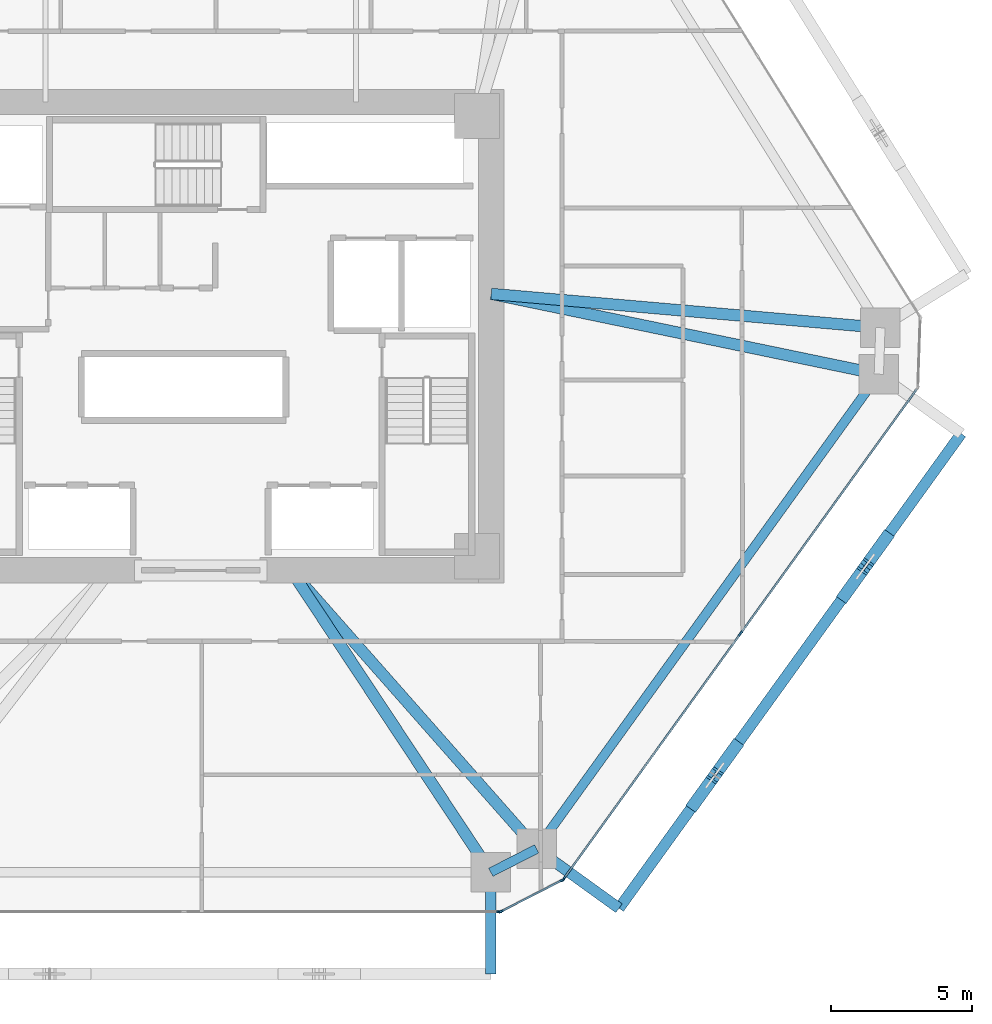
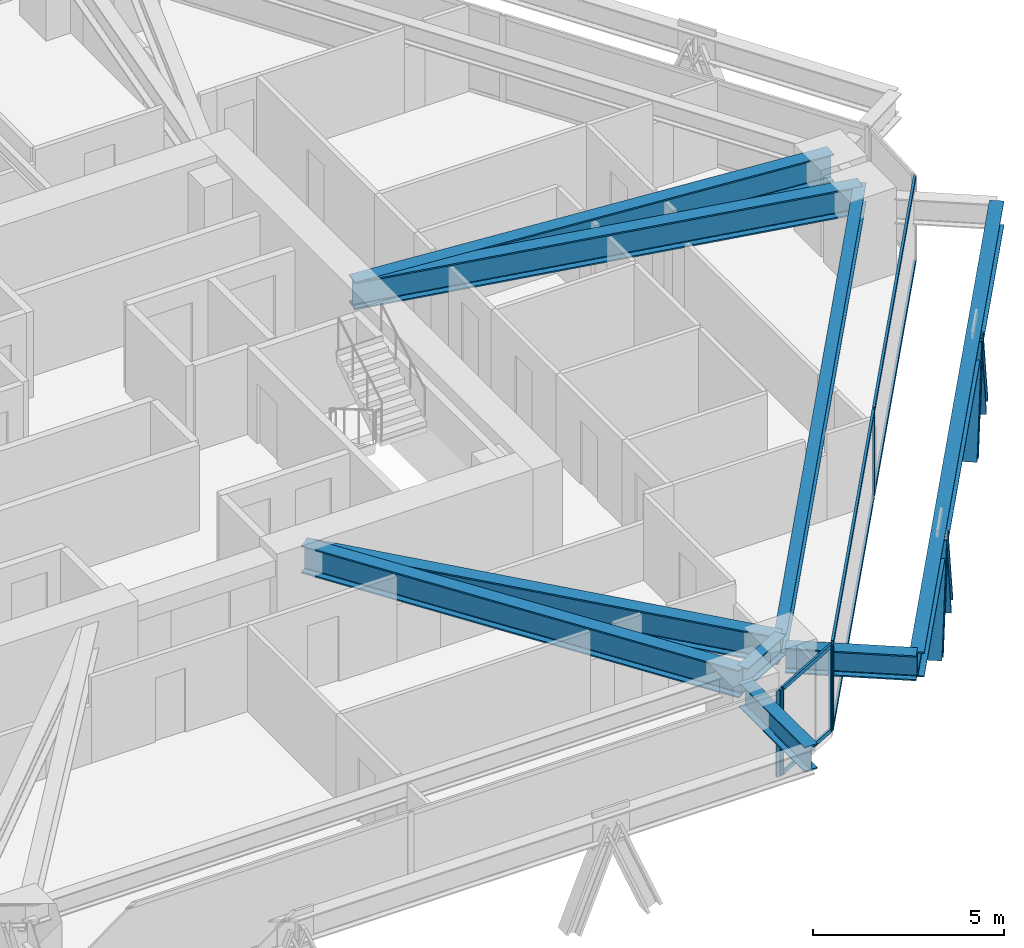
# One storey, part 5 of 18: 15 members, 9 beams, 3 elements without a shape of their own.
"""IFC4 building model written with IfcOpenShell, lengths in metres."""

from ifc_helpers import new_model, si_unit, direction, frame, origin, origin_2d, place, context, subcontext, project, spatial, rectangle, i_section, extrude, source, transform, mapped, material, layer, layer_set, material_profile, profile_set, type_object, type_shapes, element, aggregate, save


model = new_model("IFC4")

# Units and contexts
model_context = context("Model", 3, precision=1e-05, world=origin(), true_north=direction((0.0, 1.0)))
body_context = subcontext(model_context, "Body", "Model", "MODEL_VIEW")
ifc_project = project(units=[si_unit("LENGTHUNIT", "METRE"), si_unit("AREAUNIT", "SQUARE_METRE"), si_unit("VOLUMEUNIT", "CUBIC_METRE"), si_unit("PLANEANGLEUNIT", "RADIAN"), si_unit("MASSUNIT", "GRAM", prefix="KILO")], contexts=[model_context])

# Site, building, storey
site_placement = place(None, origin())
site = spatial("IfcSite", under=ifc_project, at=site_placement, CompositionType="ELEMENT")
building_placement = place(site_placement, origin())
building = spatial("IfcBuilding", under=site, at=building_placement, Name="Durnholm Broadcast Tower", CompositionType="ELEMENT")
storey_placement = place(building_placement, frame((0.0, 0.0, 78.300048828125)))
storey = spatial("IfcBuildingStorey", under=building, at=storey_placement, Name="L20", CompositionType="ELEMENT", Elevation=78.300048828125)

# Beams
ifc_material_1 = material(Name="Steel ASTM A992 Grade 50", Category="steel")
ifc_material_profile_1 = material_profile(ifc_material_1, i_section(OverallWidth=0.3291015625, OverallDepth=0.635009765625, WebThickness=0.017822265625, FlangeThickness=0.031005859375, FilletRadius=0.02783203125, at=origin_2d()), Name="W24X162")
ifc_profile_set_1 = profile_set([ifc_material_profile_1], Name="Steel ASTM A992 Grade 50")
beam_type_1 = type_object("IfcBeamType", Name="STL-SP-W24X162", PredefinedType="SPANDREL", material=ifc_profile_set_1)
shared_shape_1 = source(origin(), body_context, "Body", "SweptSolid", [
    extrude(i_section(OverallWidth=0.3291015625, OverallDepth=0.635009765625, WebThickness=0.017822265625, FlangeThickness=0.031005859375, FilletRadius=0.02783203125, at=origin_2d()), origin(), (0.0, 0.0, 1.0), 20.737060546875),
])
beam_1_placement = place(storey_placement, frame((24.034912109375, -1.347412109375, 2.427490234375), z_axis=(-0.584821933191, -0.811161701795, 0.0), x_axis=(0.811161701795, -0.584821933191, 0.0)))
element("IfcBeam", 1, at=beam_1_placement, inside=storey, type_object=beam_type_1, Name="L20 perimeter spandrel girder 09", PredefinedType="SPANDREL", context=body_context, shape_type="MappedRepresentation", body=[
    mapped(shared_shape_1, transform((0.0, 0.0, 0.0), x_axis=(1.0, 0.0, 0.0), y_axis=(0.0, 1.0, 0.0), z_axis=(0.0, 0.0, 1.0), scale=1.0)),
])
shared_shape_2 = source(origin(), body_context, "Body", "SweptSolid", [
    extrude(i_section(OverallWidth=0.3291015625, OverallDepth=0.635009765625, WebThickness=0.017822265625, FlangeThickness=0.031005859375, FilletRadius=0.02783203125, at=origin_2d()), origin(), (0.0, 0.0, 1.0), 1.8251953125),
])
type_shapes(beam_type_1, [shared_shape_1, shared_shape_2])
beam_2_placement = place(storey_placement, frame((11.907470703125, -18.16845703125, 2.427490234375), z_axis=(-0.890187609501, -0.455594139438, 0.0), x_axis=(0.455594139438, -0.890187609501, 0.0)))
element("IfcBeam", 2, at=beam_2_placement, inside=storey, type_object=beam_type_1, Name="L20 perimeter spandrel girder 10", PredefinedType="SPANDREL", context=body_context, shape_type="MappedRepresentation", body=[
    mapped(shared_shape_2, transform((0.0, 0.0, 0.0), x_axis=(1.0, 0.0, 0.0), y_axis=(0.0, 1.0, 0.0), z_axis=(0.0, 0.0, 1.0), scale=1.0)),
])
ifc_material_profile_2 = material_profile(ifc_material_1, i_section(OverallWidth=0.404052734375, OverallDepth=0.885009765625, WebThickness=0.0244140625, FlangeThickness=0.0439453125, FilletRadius=0.03564453125, at=origin_2d()), Name="W33X291")
ifc_profile_set_2 = profile_set([ifc_material_profile_2], Name="Steel ASTM A992 Grade 50")
beam_type_2 = type_object("IfcBeamType", Name="STL-GR-W33X291", PredefinedType="USERDEFINED", material=ifc_profile_set_2)
shared_shape_3 = source(origin(), body_context, "Body", "SweptSolid", [
    extrude(i_section(OverallWidth=0.404052734375, OverallDepth=0.885009765625, WebThickness=0.0244140625, FlangeThickness=0.0439453125, FilletRadius=0.03564453125, at=origin_2d()), origin(), (0.0, 0.0, 1.0), 13.843017578125),
])
beam_3_placement = place(storey_placement, frame((10.300048828125, 1.5, 2.302490234375), z_axis=(0.996234364864, -0.086701154915, 0.0), x_axis=(0.086701154915, 0.996234364864, 0.0)))
element("IfcBeam", 3, at=beam_3_placement, inside=storey, type_object=beam_type_2, Name="L20 radial primary floor girder 08", ObjectType="GIRDER", PredefinedType="USERDEFINED", context=body_context, shape_type="MappedRepresentation", body=[
    mapped(shared_shape_3, transform((0.0, 0.0, 0.0), x_axis=(1.0, 0.0, 0.0), y_axis=(0.0, 1.0, 0.0), z_axis=(0.0, 0.0, 1.0), scale=1.0)),
])
shared_shape_4 = source(origin(), body_context, "Body", "SweptSolid", [
    extrude(i_section(OverallWidth=0.404052734375, OverallDepth=0.885009765625, WebThickness=0.0244140625, FlangeThickness=0.0439453125, FilletRadius=0.03564453125, at=origin_2d()), origin(), (0.0, 0.0, 1.0), 14.02685546875),
])
beam_4_placement = place(storey_placement, frame((10.300048828125, 1.5, 2.302490234375), z_axis=(0.979179487914, -0.202996380382, 0.0), x_axis=(0.202996380382, 0.979179487914, 0.0)))
element("IfcBeam", 4, at=beam_4_placement, inside=storey, type_object=beam_type_2, Name="L20 radial primary floor girder 09", ObjectType="GIRDER", PredefinedType="USERDEFINED", context=body_context, shape_type="MappedRepresentation", body=[
    mapped(shared_shape_4, transform((0.0, 0.0, 0.0), x_axis=(1.0, 0.0, 0.0), y_axis=(0.0, 1.0, 0.0), z_axis=(0.0, 0.0, 1.0), scale=1.0)),
])
shared_shape_5 = source(origin(), body_context, "Body", "SweptSolid", [
    extrude(i_section(OverallWidth=0.404052734375, OverallDepth=0.885009765625, WebThickness=0.0244140625, FlangeThickness=0.0439453125, FilletRadius=0.03564453125, at=origin_2d()), origin(), (0.0, 0.0, 1.0), 13.160888671875),
])
beam_5_placement = place(storey_placement, frame((3.199951171875, -8.300048828125, 2.302490234375), z_axis=(0.661625931866, -0.749834065832, 0.0), x_axis=(0.749834065832, 0.661625931866, 0.0)))
element("IfcBeam", 5, at=beam_5_placement, inside=storey, type_object=beam_type_2, Name="L20 radial primary floor girder 10", ObjectType="GIRDER", PredefinedType="USERDEFINED", context=body_context, shape_type="MappedRepresentation", body=[
    mapped(shared_shape_5, transform((0.0, 0.0, 0.0), x_axis=(1.0, 0.0, 0.0), y_axis=(0.0, 1.0, 0.0), z_axis=(0.0, 0.0, 1.0), scale=1.0)),
])
shared_shape_6 = source(origin(), body_context, "Body", "SweptSolid", [
    extrude(i_section(OverallWidth=0.404052734375, OverallDepth=0.885009765625, WebThickness=0.0244140625, FlangeThickness=0.0439453125, FilletRadius=0.03564453125, at=origin_2d()), origin(), (0.0, 0.0, 1.0), 12.831787109375),
])
type_shapes(beam_type_2, [shared_shape_3, shared_shape_4, shared_shape_5, shared_shape_6])
beam_6_placement = place(storey_placement, frame((3.199951171875, -8.300048828125, 2.302490234375), z_axis=(0.551970609544, -0.833863565699, 0.0), x_axis=(0.833863565699, 0.551970609544, 0.0)))
element("IfcBeam", 6, at=beam_6_placement, inside=storey, type_object=beam_type_2, Name="L20 radial primary floor girder 11", ObjectType="GIRDER", PredefinedType="USERDEFINED", context=body_context, shape_type="MappedRepresentation", body=[
    mapped(shared_shape_6, transform((0.0, 0.0, 0.0), x_axis=(1.0, 0.0, 0.0), y_axis=(0.0, 1.0, 0.0), z_axis=(0.0, 0.0, 1.0), scale=1.0)),
])
ifc_material_profile_3 = material_profile(ifc_material_1, i_section(OverallWidth=0.385009765625, OverallDepth=0.802978515625, WebThickness=0.023681640625, FlangeThickness=0.0419921875, FilletRadius=0.032958984375, at=origin_2d()), Name="W30X261")
ifc_profile_set_3 = profile_set([ifc_material_profile_3], Name="Steel ASTM A992 Grade 50")
beam_type_3 = type_object("IfcBeamType", Name="BM-EXO-TIE", PredefinedType="USERDEFINED", material=ifc_profile_set_3)
shared_shape_7 = source(origin(), body_context, "Body", "SweptSolid", [
    extrude(i_section(OverallWidth=0.385009765625, OverallDepth=0.802978515625, WebThickness=0.023681640625, FlangeThickness=0.0419921875, FilletRadius=0.032958984375, at=origin_2d()), origin(), (0.0, 0.0, 1.0), 3.4560546875),
])
for number, where, z_axis, x_axis, name in (
    (7, (10.28271484375, -19.14404296875, 2.008544921875), (0.0, -1.0, 0.0), (1.0, 0.0, 0.0), "L20 exoskeleton stand-off tie bracket F1.2"),
    (8, (12.024169921875, -18.252685546875, 2.008544921875), (0.811157675106, -0.584827518262, 0.0), (0.584827518262, 0.811157675106, 0.0), "L20 exoskeleton stand-off tie bracket F2.1"),
):
    element("IfcBeam", number, at=place(storey_placement, frame(where, z_axis=z_axis, x_axis=x_axis)), inside=storey, type_object=beam_type_3, Name=name, ObjectType="GIRDER", PredefinedType="USERDEFINED", context=body_context, shape_type="MappedRepresentation", body=[
        mapped(shared_shape_7, transform((0.0, 0.0, 0.0), x_axis=(1.0, 0.0, 0.0), y_axis=(0.0, 1.0, 0.0), z_axis=(0.0, 0.0, 1.0), scale=1.0)),
    ])
shared_shape_8 = source(origin(), body_context, "Body", "SweptSolid", [
    extrude(i_section(OverallWidth=0.385009765625, OverallDepth=0.802978515625, WebThickness=0.023681640625, FlangeThickness=0.0419921875, FilletRadius=0.032958984375, at=origin_2d()), origin(), (0.0, 0.0, 1.0), 20.737060546875),
])
type_shapes(beam_type_3, [shared_shape_7, shared_shape_8])
beam_7_placement = place(storey_placement, frame((14.82763671875, -20.27392578125, 2.008544921875), z_axis=(0.5848163482, 0.811165728368, 0.0), x_axis=(-0.811165728368, 0.5848163482, 0.0)))
element("IfcBeam", 9, at=beam_7_placement, inside=storey, type_object=beam_type_3, Name="L20 exoskeleton collector spandrel F2", PredefinedType="SPANDREL", context=body_context, shape_type="MappedRepresentation", body=[
    mapped(shared_shape_8, transform((0.0, 0.0, 0.0), x_axis=(1.0, 0.0, 0.0), y_axis=(0.0, 1.0, 0.0), z_axis=(0.0, 0.0, 1.0), scale=1.0)),
])

# Members
ifc_material_2 = material(Name="Steel ASTM A913 Grade 65", Category="steel")
ifc_material_profile_4 = material_profile(ifc_material_2, i_section(OverallWidth=0.43212890625, OverallDepth=0.497802734375, WebThickness=0.0556640625, FlangeThickness=0.0888671875, FilletRadius=0.030517578125, at=origin_2d()), Name="W14X500")
ifc_profile_set_4 = profile_set([ifc_material_profile_4], Name="Steel ASTM A913 Grade 65")
member_type_1 = type_object("IfcMemberType", Name="STL-DG-W14X500", PredefinedType="BRACE", material=ifc_profile_set_4)
shared_shape_9 = source(origin(), body_context, "Body", "SweptSolid", [
    extrude(i_section(OverallWidth=0.43212890625, OverallDepth=0.497802734375, WebThickness=0.0556640625, FlangeThickness=0.0888671875, FilletRadius=0.030517578125, at=origin_2d()), origin(), (0.0, 0.0, 1.0), 3.243896484375),
])
for number, where, z_axis, x_axis, name in (
    (10, (17.501708984375, -16.564697265625, -0.991455078125), (0.222479198439, 0.308505492017, 0.924839103659), (-0.81109123444, 0.58491966065, 0.0), "L20 stand-off diagrid brace F2.D1.1"),
    (11, (22.837890625, -9.163330078125, -0.991455078125), (0.222479198439, 0.308505492017, 0.924839103659), (-0.81109123444, 0.58491966065, 0.0), "L20 stand-off diagrid brace F2.D2.1"),
):
    element("IfcMember", number, at=place(storey_placement, frame(where, z_axis=z_axis, x_axis=x_axis)), inside=storey, type_object=member_type_1, Name=name, PredefinedType="BRACE", context=body_context, shape_type="MappedRepresentation", body=[
        mapped(shared_shape_9, transform((0.0, 0.0, 0.0), x_axis=(1.0, 0.0, 0.0), y_axis=(0.0, 1.0, 0.0), z_axis=(0.0, 0.0, 1.0), scale=1.0)),
    ])
shared_shape_10 = source(origin(), body_context, "Body", "SweptSolid", [
    extrude(i_section(OverallWidth=0.43212890625, OverallDepth=0.497802734375, WebThickness=0.0556640625, FlangeThickness=0.0888671875, FilletRadius=0.030517578125, at=origin_2d()), origin(), (0.0, 0.0, 1.0), 3.24365234375),
])
type_shapes(member_type_1, [shared_shape_9, shared_shape_10])
for number, where, z_axis, x_axis, name in (
    (12, (18.94482421875, -14.563232421875, -0.991455078125), (-0.222407658365, -0.308510657069, 0.924854587476), (0.811185111535, -0.584789461963, 0.0), "L20 stand-off diagrid brace F2.D1.2"),
    (13, (24.281005859375, -7.161865234375, -0.991455078125), (-0.222407658365, -0.308510657069, 0.924854587476), (0.811185111535, -0.584789461963, 0.0), "L20 stand-off diagrid brace F2.D2.2"),
):
    element("IfcMember", number, at=place(storey_placement, frame(where, z_axis=z_axis, x_axis=x_axis)), inside=storey, type_object=member_type_1, Name=name, PredefinedType="BRACE", context=body_context, shape_type="MappedRepresentation", body=[
        mapped(shared_shape_10, transform((0.0, 0.0, 0.0), x_axis=(1.0, 0.0, 0.0), y_axis=(0.0, 1.0, 0.0), z_axis=(0.0, 0.0, 1.0), scale=1.0)),
    ])

# Curtain wall, members
ifc_material_3 = material(Name="Aluminium and Solar Control IGU", Category="aluminium")
ifc_layer_1 = layer(ifc_material_3, 0.1650390625)
ifc_layer_set_1 = layer_set([ifc_layer_1], Name="Aluminium and Solar Control IGU")
curtain_wall_type_1 = type_object("IfcCurtainWallType", Name="CW-SYS-5", PredefinedType="NOTDEFINED", material=ifc_layer_set_1)
curtain_wall_1_placement = place(storey_placement, origin())
curtain_wall_1 = element("IfcCurtainWall", 14, at=curtain_wall_1_placement, inside=storey, type_object=curtain_wall_type_1, Name="L20 curtain wall CW-CORNER CW-L20-CRN-09", PredefinedType="NOTDEFINED")
ifc_material_4 = material(Name="Aluminium 6063-T6", Category="aluminium")
ifc_material_profile_5 = material_profile(ifc_material_4, rectangle(XDim=0.06494140625, YDim=0.1298828125, at=origin_2d()), Name="CWT65X130")
ifc_profile_set_5 = profile_set([ifc_material_profile_5], Name="Aluminium 6063-T6")
member_type_2 = type_object("IfcMemberType", Name="CW-SYS-5-TRN", PredefinedType="USERDEFINED", material=ifc_profile_set_5)
shared_shape_11 = source(origin(), body_context, "Body", "SweptSolid", [
    extrude(rectangle(XDim=0.06494140625, YDim=0.1298828125, at=origin_2d()), origin(), (0.0, 0.0, 1.0), 2.3701171875),
])
type_shapes(member_type_2, [shared_shape_11])
member_1_placement = place(storey_placement, frame((12.787841796875, -19.29052734375, 0.032470703125), z_axis=(-0.890185016934, -0.455599205033, 0.0), x_axis=(0.455599205033, -0.890185016934, 0.0)))
member_1 = element("IfcMember", 15, at=member_1_placement, type_object=member_type_2, Name="CW-CORNER transom 1.1", ObjectType="TRANSOM", PredefinedType="USERDEFINED", context=body_context, shape_type="MappedRepresentation", body=[
    mapped(shared_shape_11, transform((0.0, 0.0, 0.0), x_axis=(1.0, 0.0, 0.0), y_axis=(0.0, 1.0, 0.0), z_axis=(0.0, 0.0, 1.0), scale=1.0)),
])
member_2_placement = place(storey_placement, frame((12.787841796875, -19.29052734375, 2.7275390625), z_axis=(-0.890185016934, -0.455599205033, 0.0), x_axis=(0.455599205033, -0.890185016934, 0.0)))
member_2 = element("IfcMember", 16, at=member_2_placement, type_object=member_type_2, Name="CW-CORNER transom 1.2", ObjectType="TRANSOM", PredefinedType="USERDEFINED", context=body_context, shape_type="MappedRepresentation", body=[
    mapped(shared_shape_11, transform((0.0, 0.0, 0.0), x_axis=(1.0, 0.0, 0.0), y_axis=(0.0, 1.0, 0.0), z_axis=(0.0, 0.0, 1.0), scale=1.0)),
])

ifc_layer_2 = layer(ifc_material_3, 0.18994140625)
ifc_layer_set_2 = layer_set([ifc_layer_2], Name="Aluminium and Solar Control IGU")
curtain_wall_type_2 = type_object("IfcCurtainWallType", Name="CW-SYS-3", PredefinedType="NOTDEFINED", material=ifc_layer_set_2)
curtain_wall_2_placement = place(storey_placement, origin())
curtain_wall_2 = element("IfcCurtainWall", 17, at=curtain_wall_2_placement, inside=storey, type_object=curtain_wall_type_2, Name="L20 curtain wall CW-Z12-VIS CW-L20-F08", PredefinedType="NOTDEFINED")
ifc_material_profile_6 = material_profile(ifc_material_4, rectangle(XDim=0.070068359375, YDim=0.14990234375, at=origin_2d()), Name="CWT70X150")
ifc_profile_set_6 = profile_set([ifc_material_profile_6], Name="Aluminium 6063-T6")
member_type_3 = type_object("IfcMemberType", Name="CW-SYS-3-TRN", PredefinedType="USERDEFINED", material=ifc_profile_set_6)
shared_shape_12 = source(origin(), body_context, "Body", "SweptSolid", [
    extrude(rectangle(XDim=0.070068359375, YDim=0.14990234375, at=origin_2d()), origin(), (0.0, 0.0, 1.0), 10.6455078125),
])
member_3_placement = place(storey_placement, frame((25.37890625, -1.877197265625, 0.034912109375), z_axis=(-0.584812103659, -0.811168788486, 0.0), x_axis=(0.811168788486, -0.584812103659, 0.0)))
member_3 = element("IfcMember", 18, at=member_3_placement, type_object=member_type_3, Name="CW-Z12-VIS transom 1.1", ObjectType="TRANSOM", PredefinedType="USERDEFINED", context=body_context, shape_type="MappedRepresentation", body=[
    mapped(shared_shape_12, transform((0.0, 0.0, 0.0), x_axis=(1.0, 0.0, 0.0), y_axis=(0.0, 1.0, 0.0), z_axis=(0.0, 0.0, 1.0), scale=1.0)),
])
member_4_placement = place(storey_placement, frame((25.37890625, -1.877197265625, 2.724853515625), z_axis=(-0.584812103659, -0.811168788486, 0.0), x_axis=(0.811168788486, -0.584812103659, 0.0)))
member_4 = element("IfcMember", 19, at=member_4_placement, type_object=member_type_3, Name="CW-Z12-VIS transom 1.2", ObjectType="TRANSOM", PredefinedType="USERDEFINED", context=body_context, shape_type="MappedRepresentation", body=[
    mapped(shared_shape_12, transform((0.0, 0.0, 0.0), x_axis=(1.0, 0.0, 0.0), y_axis=(0.0, 1.0, 0.0), z_axis=(0.0, 0.0, 1.0), scale=1.0)),
])
shared_shape_13 = source(origin(), body_context, "Body", "SweptSolid", [
    extrude(rectangle(XDim=0.070068359375, YDim=0.14990234375, at=origin_2d()), origin(), (0.0, 0.0, 1.0), 10.645263671875),
])
type_shapes(member_type_3, [shared_shape_12, shared_shape_13])
member_5_placement = place(storey_placement, frame((19.1123046875, -10.569091796875, 0.034912109375), z_axis=(-0.584822983179, -0.811160944786, 0.0), x_axis=(0.811160944786, -0.584822983179, 0.0)))
member_5 = element("IfcMember", 20, at=member_5_placement, type_object=member_type_3, Name="CW-Z12-VIS transom 2.1", ObjectType="TRANSOM", PredefinedType="USERDEFINED", context=body_context, shape_type="MappedRepresentation", body=[
    mapped(shared_shape_13, transform((0.0, 0.0, 0.0), x_axis=(1.0, 0.0, 0.0), y_axis=(0.0, 1.0, 0.0), z_axis=(0.0, 0.0, 1.0), scale=1.0)),
])
member_6_placement = place(storey_placement, frame((19.1123046875, -10.569091796875, 2.724853515625), z_axis=(-0.584822983179, -0.811160944786, 0.0), x_axis=(0.811160944786, -0.584822983179, 0.0)))
member_6 = element("IfcMember", 21, at=member_6_placement, type_object=member_type_3, Name="CW-Z12-VIS transom 2.2", ObjectType="TRANSOM", PredefinedType="USERDEFINED", context=body_context, shape_type="MappedRepresentation", body=[
    mapped(shared_shape_13, transform((0.0, 0.0, 0.0), x_axis=(1.0, 0.0, 0.0), y_axis=(0.0, 1.0, 0.0), z_axis=(0.0, 0.0, 1.0), scale=1.0)),
])

# Member
ifc_material_profile_7 = material_profile(ifc_material_4, rectangle(XDim=0.06494140625, YDim=0.1650390625, at=origin_2d()), Name="CWM65X165")
ifc_profile_set_7 = profile_set([ifc_material_profile_7], Name="Aluminium 6063-T6")
member_type_4 = type_object("IfcMemberType", Name="CW-SYS-5-MUL", PredefinedType="MULLION", material=ifc_profile_set_7)
shared_shape_14 = source(origin(), body_context, "Body", "SweptSolid", [
    extrude(rectangle(XDim=0.06494140625, YDim=0.1650390625, at=origin_2d()), origin(), (0.0, 0.0, 1.0), 2.760009765625),
])
type_shapes(member_type_4, [shared_shape_14])
member_7_placement = place(storey_placement, frame((12.816650390625, -19.27587890625, 0.0), z_axis=(0.0, 0.0, 1.0), x_axis=(0.455593758406, -0.890187804512, 0.0)))
member_7 = element("IfcMember", 22, at=member_7_placement, type_object=member_type_4, Name="CW-CORNER mullion 1", PredefinedType="MULLION", context=body_context, shape_type="MappedRepresentation", body=[
    mapped(shared_shape_14, transform((0.0, 0.0, 0.0), x_axis=(1.0, 0.0, 0.0), y_axis=(0.0, 1.0, 0.0), z_axis=(0.0, 0.0, 1.0), scale=1.0)),
])

member_8_placement = place(storey_placement, frame((10.649169921875, -20.38525390625, 0.0), z_axis=(0.0, 0.0, 1.0), x_axis=(0.455593758406, -0.890187804512, 0.0)))
member_8 = element("IfcMember", 23, at=member_8_placement, type_object=member_type_4, Name="CW-CORNER mullion 2", PredefinedType="MULLION", context=body_context, shape_type="MappedRepresentation", body=[
    mapped(shared_shape_14, transform((0.0, 0.0, 0.0), x_axis=(1.0, 0.0, 0.0), y_axis=(0.0, 1.0, 0.0), z_axis=(0.0, 0.0, 1.0), scale=1.0)),
])

aggregate(curtain_wall_1, [member_7, member_8, member_1, member_2])

ifc_material_profile_8 = material_profile(ifc_material_4, rectangle(XDim=0.070068359375, YDim=0.18994140625, at=origin_2d()), Name="CWM70X190")
ifc_profile_set_8 = profile_set([ifc_material_profile_8], Name="Aluminium 6063-T6")
member_type_5 = type_object("IfcMemberType", Name="CW-SYS-3-MUL", PredefinedType="MULLION", material=ifc_profile_set_8)
shared_shape_15 = source(origin(), body_context, "Body", "SweptSolid", [
    extrude(rectangle(XDim=0.070068359375, YDim=0.18994140625, at=origin_2d()), origin(), (0.0, 0.0, 1.0), 2.760009765625),
])
type_shapes(member_type_5, [shared_shape_15])
member_9_placement = place(storey_placement, frame((19.1328125, -10.540771484375, 0.0), z_axis=(0.0, 0.0, 1.0), x_axis=(0.81116057493, -0.584823496176, 0.0)))
member_9 = element("IfcMember", 24, at=member_9_placement, type_object=member_type_5, Name="CW-Z12-VIS mullion 2", PredefinedType="MULLION", context=body_context, shape_type="MappedRepresentation", body=[
    mapped(shared_shape_15, transform((0.0, 0.0, 0.0), x_axis=(1.0, 0.0, 0.0), y_axis=(0.0, 1.0, 0.0), z_axis=(0.0, 0.0, 1.0), scale=1.0)),
])

member_10_placement = place(storey_placement, frame((12.8662109375, -19.232666015625, 0.0), z_axis=(0.0, 0.0, 1.0), x_axis=(0.81116057493, -0.584823496176, 0.0)))
member_10 = element("IfcMember", 25, at=member_10_placement, type_object=member_type_5, Name="CW-Z12-VIS mullion 3", PredefinedType="MULLION", context=body_context, shape_type="MappedRepresentation", body=[
    mapped(shared_shape_15, transform((0.0, 0.0, 0.0), x_axis=(1.0, 0.0, 0.0), y_axis=(0.0, 1.0, 0.0), z_axis=(0.0, 0.0, 1.0), scale=1.0)),
])

aggregate(curtain_wall_2, [member_9, member_10, member_3, member_4, member_5, member_6])

# Curtain wall, member
curtain_wall_3_placement = place(storey_placement, origin())
curtain_wall_3 = element("IfcCurtainWall", 26, at=curtain_wall_3_placement, inside=storey, type_object=curtain_wall_type_2, Name="L20 curtain wall CW-Z12-VIS CW-L20-F10", PredefinedType="NOTDEFINED")
member_11_placement = place(storey_placement, frame((10.585205078125, -20.39990234375, 0.0), z_axis=(0.0, 0.0, 1.0), x_axis=(0.0, -1.0, 0.0)))
member_11 = element("IfcMember", 27, at=member_11_placement, type_object=member_type_5, Name="CW-Z12-VIS mullion 1", PredefinedType="MULLION", context=body_context, shape_type="MappedRepresentation", body=[
    mapped(shared_shape_15, transform((0.0, 0.0, 0.0), x_axis=(1.0, 0.0, 0.0), y_axis=(0.0, 1.0, 0.0), z_axis=(0.0, 0.0, 1.0), scale=1.0)),
])
aggregate(curtain_wall_3, [member_11])

save(model, "model.ifc")
